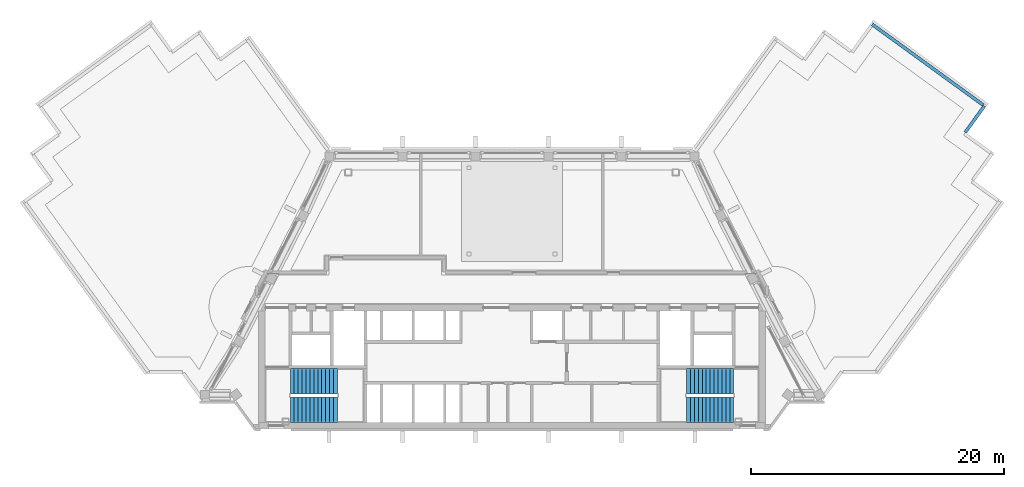
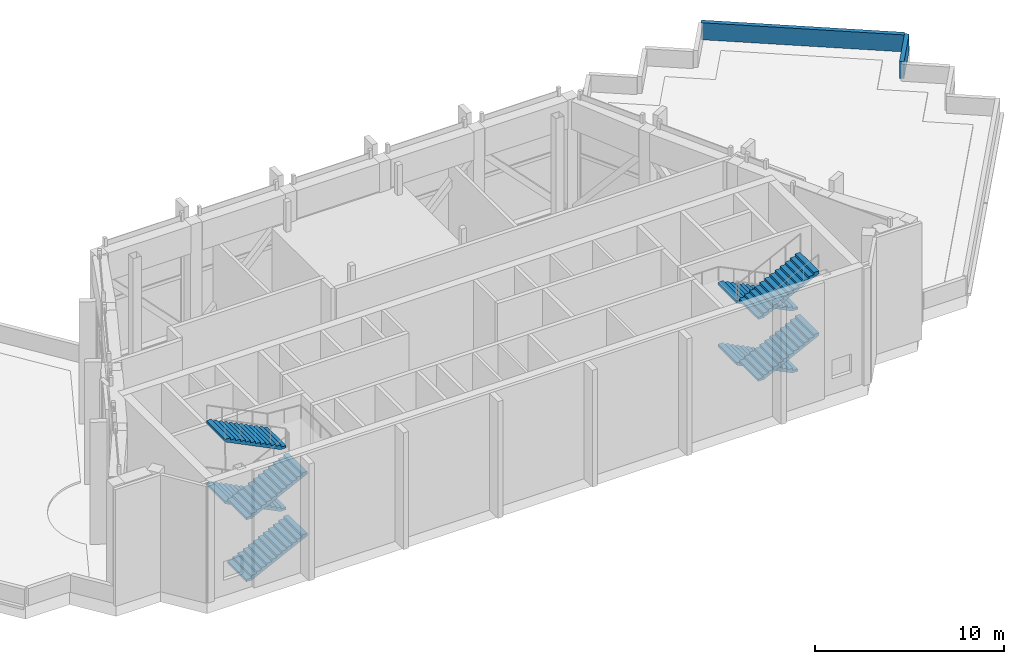
# One storey, part 11 of 14: 8 stair flights, 2 walls, 2 elements without a shape of their own.
"""IFC4 building model written with IfcOpenShell, lengths in metres."""

from ifc_helpers import new_model, si_unit, direction, frame, frame_2d, origin, place, context, subcontext, project, spatial, polyline, rectangle, outline, extrude, material, type_object, element, aggregate, save


model = new_model("IFC4")

# Units and contexts
model_context = context("Model", 3, precision=1e-05, world=origin(), true_north=direction((0.0, 1.0)))
body_context = subcontext(model_context, "Body", "Model", "MODEL_VIEW")
ifc_project = project(units=[si_unit("LENGTHUNIT", "METRE"), si_unit("AREAUNIT", "SQUARE_METRE"), si_unit("VOLUMEUNIT", "CUBIC_METRE"), si_unit("PLANEANGLEUNIT", "RADIAN"), si_unit("MASSUNIT", "GRAM", prefix="KILO")], contexts=[model_context])

# Site, building, storey
site_placement = place(None, origin())
site = spatial("IfcSite", under=ifc_project, at=site_placement, CompositionType="ELEMENT")
building_placement = place(site_placement, origin())
building = spatial("IfcBuilding", under=site, at=building_placement, Name="Quipu Civic Tower", CompositionType="ELEMENT")
storey_placement = place(building_placement, frame((0.0, 0.0, 355.0)))
storey = spatial("IfcBuildingStorey", under=building, at=storey_placement, Name="L83", CompositionType="ELEMENT", Elevation=355.0)

# Walls
ifc_material_1 = material(Name="Precast concrete C40/50", Category="concrete")
wall_type = type_object("IfcWallType", Name="Concrete parapet", PredefinedType="PARAPET", material=ifc_material_1)
wall_1_placement = place(storey_placement, frame((28.428466796875, 20.915283203125, 0.0), z_axis=(0.0, 0.0, 1.0), x_axis=(0.809014924719, -0.587788100918, 0.0)))
element("IfcWall", 1, at=wall_1_placement, inside=storey, type_object=wall_type, Name="Parapet L83.6", PredefinedType="PARAPET", context=body_context, shape_type="SweptSolid", body=[
    extrude(rectangle(XDim=10.824951171875, YDim=0.25, at=frame_2d((5.41259765625, 0.0))), origin(), (0.0, 0.0, 1.0), 1.10009765625),
])
wall_2_placement = place(storey_placement, frame((37.287109375, 14.47900390625, 0.0), z_axis=(0.0, 0.0, 1.0), x_axis=(-0.587793888112, -0.809010720015, 0.0)))
element("IfcWall", 2, at=wall_2_placement, inside=storey, type_object=wall_type, Name="Parapet L83.7", PredefinedType="PARAPET", context=body_context, shape_type="SweptSolid", body=[
    extrude(rectangle(XDim=2.57470703125, YDim=0.25, at=frame_2d((1.287353515625, 0.0))), origin(), (0.0, 0.0, 1.0), 1.10009765625),
])

# Stair, stair flights
ifc_material_2 = material(Name="Concrete C40/50", Category="concrete")
stair_type = type_object("IfcStairType", Name="Half turn stair 2000", PredefinedType="HALF_TURN_STAIR", material=ifc_material_2)
stair_1_placement = place(storey_placement, origin())
stair_1 = element("IfcStair", 3, at=stair_1_placement, inside=storey, type_object=stair_type, Name="Exit stair 1", PredefinedType="HALF_TURN_STAIR")
ifc_material_3 = material(Name="Concrete C40/50", Category="concrete")
stair_flight_type = type_object("IfcStairFlightType", Name="Stair flight 2000", PredefinedType="STRAIGHT", material=ifc_material_3)
stair_flight_1_placement = place(storey_placement, frame((-17.5, -9.5, 0.0), z_axis=(0.0, 0.0, 1.0), x_axis=(1.0, 0.0, 0.0)))
stair_flight_1 = element("IfcStairFlight", 4, at=stair_flight_1_placement, type_object=stair_flight_type, Name="ST-1 flight 1", NumberOfRisers=13, NumberOfTreads=12, PredefinedType="STRAIGHT", RiserHeight=0.153846154, TreadLength=0.31, context=body_context, shape_type="SweptSolid", body=[
    extrude(outline(polyline([(0.0, 0.0), (0.0, 0.15380859375), (0.31005859375, 0.15380859375), (0.31005859375, 0.3076171875), (0.6201171875, 0.3076171875), (0.6201171875, 0.46142578125), (0.929931640625, 0.46142578125), (0.929931640625, 0.615478515625), (1.239990234375, 0.615478515625), (1.239990234375, 0.769287109375), (1.550048828125, 0.769287109375), (1.550048828125, 0.923095703125), (1.860107421875, 0.923095703125), (1.860107421875, 1.076904296875), (2.169921875, 1.076904296875), (2.169921875, 1.230712890625), (2.47998046875, 1.230712890625), (2.47998046875, 1.384521484375), (2.7900390625, 1.384521484375), (2.7900390625, 1.53857421875), (3.10009765625, 1.53857421875), (3.10009765625, 1.6923828125), (3.409912109375, 1.6923828125), (3.409912109375, 1.84619140625), (3.719970703125, 1.84619140625), (3.719970703125, 2.0), (3.719970703125, 1.6787109375), (0.337158203125, 0.0), (0.0, 0.0)])), frame((0.0, 1.0, 0.0), z_axis=(0.0, -1.0, 0.0), x_axis=(1.0, 0.0, 0.0)), (0.0, 0.0, 1.0), 2.0),
])
stair_flight_2_placement = place(storey_placement, frame((-13.780029296875, -7.25, 2.0), z_axis=(0.0, 0.0, 1.0), x_axis=(-1.0, 0.0, 0.0)))
stair_flight_2 = element("IfcStairFlight", 5, at=stair_flight_2_placement, type_object=stair_flight_type, Name="ST-1 flight 2", NumberOfRisers=13, NumberOfTreads=12, PredefinedType="STRAIGHT", RiserHeight=0.153846154, TreadLength=0.31, context=body_context, shape_type="SweptSolid", body=[
    extrude(outline(polyline([(0.0, 0.0), (0.0, 0.15380859375), (0.31005859375, 0.15380859375), (0.31005859375, 0.3076171875), (0.6201171875, 0.3076171875), (0.6201171875, 0.46142578125), (0.929931640625, 0.46142578125), (0.929931640625, 0.615478515625), (1.239990234375, 0.615478515625), (1.239990234375, 0.769287109375), (1.550048828125, 0.769287109375), (1.550048828125, 0.923095703125), (1.860107421875, 0.923095703125), (1.860107421875, 1.076904296875), (2.169921875, 1.076904296875), (2.169921875, 1.230712890625), (2.47998046875, 1.230712890625), (2.47998046875, 1.384521484375), (2.7900390625, 1.384521484375), (2.7900390625, 1.53857421875), (3.10009765625, 1.53857421875), (3.10009765625, 1.6923828125), (3.409912109375, 1.6923828125), (3.409912109375, 1.84619140625), (3.719970703125, 1.84619140625), (3.719970703125, 2.0), (3.719970703125, 1.6787109375), (0.337158203125, 0.0), (0.0, 0.0)])), frame((0.0, 1.0, 0.0), z_axis=(0.0, -1.0, 0.0), x_axis=(1.0, 0.0, 0.0)), (0.0, 0.0, 1.0), 2.0),
])
stair_flight_3_placement = place(storey_placement, frame((-17.5, -9.5, 4.0), z_axis=(0.0, 0.0, 1.0), x_axis=(1.0, 0.0, 0.0)))
stair_flight_3 = element("IfcStairFlight", 6, at=stair_flight_3_placement, type_object=stair_flight_type, Name="ST-1 flight 3", NumberOfRisers=13, NumberOfTreads=12, PredefinedType="STRAIGHT", RiserHeight=0.153846154, TreadLength=0.31, context=body_context, shape_type="SweptSolid", body=[
    extrude(outline(polyline([(0.0, 0.0), (0.0, 0.15380859375), (0.31005859375, 0.15380859375), (0.31005859375, 0.3076171875), (0.6201171875, 0.3076171875), (0.6201171875, 0.46142578125), (0.929931640625, 0.46142578125), (0.929931640625, 0.615478515625), (1.239990234375, 0.615478515625), (1.239990234375, 0.769287109375), (1.550048828125, 0.769287109375), (1.550048828125, 0.923095703125), (1.860107421875, 0.923095703125), (1.860107421875, 1.076904296875), (2.169921875, 1.076904296875), (2.169921875, 1.230712890625), (2.47998046875, 1.230712890625), (2.47998046875, 1.384521484375), (2.7900390625, 1.384521484375), (2.7900390625, 1.53857421875), (3.10009765625, 1.53857421875), (3.10009765625, 1.6923828125), (3.409912109375, 1.6923828125), (3.409912109375, 1.84619140625), (3.719970703125, 1.84619140625), (3.719970703125, 2.0), (3.719970703125, 1.6787109375), (0.337158203125, 0.0), (0.0, 0.0)])), frame((0.0, 1.0, 0.0), z_axis=(0.0, -1.0, 0.0), x_axis=(1.0, 0.0, 0.0)), (0.0, 0.0, 1.0), 2.0),
])
stair_flight_4_placement = place(storey_placement, frame((-13.780029296875, -7.25, 6.0), z_axis=(0.0, 0.0, 1.0), x_axis=(-1.0, 0.0, 0.0)))
stair_flight_4 = element("IfcStairFlight", 7, at=stair_flight_4_placement, type_object=stair_flight_type, Name="ST-1 flight 4", NumberOfRisers=13, NumberOfTreads=12, PredefinedType="STRAIGHT", RiserHeight=0.153846154, TreadLength=0.31, context=body_context, shape_type="SweptSolid", body=[
    extrude(outline(polyline([(0.0, 0.0), (0.0, 0.15380859375), (0.31005859375, 0.15380859375), (0.31005859375, 0.3076171875), (0.6201171875, 0.3076171875), (0.6201171875, 0.46142578125), (0.929931640625, 0.46142578125), (0.929931640625, 0.615478515625), (1.239990234375, 0.615478515625), (1.239990234375, 0.769287109375), (1.550048828125, 0.769287109375), (1.550048828125, 0.923095703125), (1.860107421875, 0.923095703125), (1.860107421875, 1.076904296875), (2.169921875, 1.076904296875), (2.169921875, 1.230712890625), (2.47998046875, 1.230712890625), (2.47998046875, 1.384521484375), (2.7900390625, 1.384521484375), (2.7900390625, 1.53857421875), (3.10009765625, 1.53857421875), (3.10009765625, 1.6923828125), (3.409912109375, 1.6923828125), (3.409912109375, 1.84619140625), (3.719970703125, 1.84619140625), (3.719970703125, 2.0), (3.719970703125, 1.6787109375), (0.337158203125, 0.0), (0.0, 0.0)])), frame((0.0, 1.0, 0.0), z_axis=(0.0, -1.0, 0.0), x_axis=(1.0, 0.0, 0.0)), (0.0, 0.0, 1.0), 2.0),
])
aggregate(stair_1, [stair_flight_1, stair_flight_2, stair_flight_3, stair_flight_4])

stair_2_placement = place(storey_placement, origin())
stair_2 = element("IfcStair", 8, at=stair_2_placement, inside=storey, type_object=stair_type, Name="Exit stair 2", PredefinedType="HALF_TURN_STAIR")
stair_flight_5_placement = place(storey_placement, frame((17.5, -7.25, 0.0), z_axis=(0.0, 0.0, 1.0), x_axis=(-1.0, 0.0, 0.0)))
stair_flight_5 = element("IfcStairFlight", 9, at=stair_flight_5_placement, type_object=stair_flight_type, Name="ST-2 flight 1", NumberOfRisers=13, NumberOfTreads=12, PredefinedType="STRAIGHT", RiserHeight=0.153846154, TreadLength=0.31, context=body_context, shape_type="SweptSolid", body=[
    extrude(outline(polyline([(0.0, 0.0), (0.0, 0.15380859375), (0.31005859375, 0.15380859375), (0.31005859375, 0.3076171875), (0.6201171875, 0.3076171875), (0.6201171875, 0.46142578125), (0.929931640625, 0.46142578125), (0.929931640625, 0.615478515625), (1.239990234375, 0.615478515625), (1.239990234375, 0.769287109375), (1.550048828125, 0.769287109375), (1.550048828125, 0.923095703125), (1.860107421875, 0.923095703125), (1.860107421875, 1.076904296875), (2.169921875, 1.076904296875), (2.169921875, 1.230712890625), (2.47998046875, 1.230712890625), (2.47998046875, 1.384521484375), (2.7900390625, 1.384521484375), (2.7900390625, 1.53857421875), (3.10009765625, 1.53857421875), (3.10009765625, 1.6923828125), (3.409912109375, 1.6923828125), (3.409912109375, 1.84619140625), (3.719970703125, 1.84619140625), (3.719970703125, 2.0), (3.719970703125, 1.6787109375), (0.337158203125, 0.0), (0.0, 0.0)])), frame((0.0, 1.0, 0.0), z_axis=(0.0, -1.0, 0.0), x_axis=(1.0, 0.0, 0.0)), (0.0, 0.0, 1.0), 2.0),
])
stair_flight_6_placement = place(storey_placement, frame((13.780029296875, -9.5, 2.0), z_axis=(0.0, 0.0, 1.0), x_axis=(1.0, 0.0, 0.0)))
stair_flight_6 = element("IfcStairFlight", 10, at=stair_flight_6_placement, type_object=stair_flight_type, Name="ST-2 flight 2", NumberOfRisers=13, NumberOfTreads=12, PredefinedType="STRAIGHT", RiserHeight=0.153846154, TreadLength=0.31, context=body_context, shape_type="SweptSolid", body=[
    extrude(outline(polyline([(0.0, 0.0), (0.0, 0.15380859375), (0.31005859375, 0.15380859375), (0.31005859375, 0.3076171875), (0.6201171875, 0.3076171875), (0.6201171875, 0.46142578125), (0.929931640625, 0.46142578125), (0.929931640625, 0.615478515625), (1.239990234375, 0.615478515625), (1.239990234375, 0.769287109375), (1.550048828125, 0.769287109375), (1.550048828125, 0.923095703125), (1.860107421875, 0.923095703125), (1.860107421875, 1.076904296875), (2.169921875, 1.076904296875), (2.169921875, 1.230712890625), (2.47998046875, 1.230712890625), (2.47998046875, 1.384521484375), (2.7900390625, 1.384521484375), (2.7900390625, 1.53857421875), (3.10009765625, 1.53857421875), (3.10009765625, 1.6923828125), (3.409912109375, 1.6923828125), (3.409912109375, 1.84619140625), (3.719970703125, 1.84619140625), (3.719970703125, 2.0), (3.719970703125, 1.6787109375), (0.337158203125, 0.0), (0.0, 0.0)])), frame((0.0, 1.0, 0.0), z_axis=(0.0, -1.0, 0.0), x_axis=(1.0, 0.0, 0.0)), (0.0, 0.0, 1.0), 2.0),
])
stair_flight_7_placement = place(storey_placement, frame((17.5, -7.25, 4.0), z_axis=(0.0, 0.0, 1.0), x_axis=(-1.0, 0.0, 0.0)))
stair_flight_7 = element("IfcStairFlight", 11, at=stair_flight_7_placement, type_object=stair_flight_type, Name="ST-2 flight 3", NumberOfRisers=13, NumberOfTreads=12, PredefinedType="STRAIGHT", RiserHeight=0.153846154, TreadLength=0.31, context=body_context, shape_type="SweptSolid", body=[
    extrude(outline(polyline([(0.0, 0.0), (0.0, 0.15380859375), (0.31005859375, 0.15380859375), (0.31005859375, 0.3076171875), (0.6201171875, 0.3076171875), (0.6201171875, 0.46142578125), (0.929931640625, 0.46142578125), (0.929931640625, 0.615478515625), (1.239990234375, 0.615478515625), (1.239990234375, 0.769287109375), (1.550048828125, 0.769287109375), (1.550048828125, 0.923095703125), (1.860107421875, 0.923095703125), (1.860107421875, 1.076904296875), (2.169921875, 1.076904296875), (2.169921875, 1.230712890625), (2.47998046875, 1.230712890625), (2.47998046875, 1.384521484375), (2.7900390625, 1.384521484375), (2.7900390625, 1.53857421875), (3.10009765625, 1.53857421875), (3.10009765625, 1.6923828125), (3.409912109375, 1.6923828125), (3.409912109375, 1.84619140625), (3.719970703125, 1.84619140625), (3.719970703125, 2.0), (3.719970703125, 1.6787109375), (0.337158203125, 0.0), (0.0, 0.0)])), frame((0.0, 1.0, 0.0), z_axis=(0.0, -1.0, 0.0), x_axis=(1.0, 0.0, 0.0)), (0.0, 0.0, 1.0), 2.0),
])
stair_flight_8_placement = place(storey_placement, frame((13.780029296875, -9.5, 6.0), z_axis=(0.0, 0.0, 1.0), x_axis=(1.0, 0.0, 0.0)))
stair_flight_8 = element("IfcStairFlight", 12, at=stair_flight_8_placement, type_object=stair_flight_type, Name="ST-2 flight 4", NumberOfRisers=13, NumberOfTreads=12, PredefinedType="STRAIGHT", RiserHeight=0.153846154, TreadLength=0.31, context=body_context, shape_type="SweptSolid", body=[
    extrude(outline(polyline([(0.0, 0.0), (0.0, 0.15380859375), (0.31005859375, 0.15380859375), (0.31005859375, 0.3076171875), (0.6201171875, 0.3076171875), (0.6201171875, 0.46142578125), (0.929931640625, 0.46142578125), (0.929931640625, 0.615478515625), (1.239990234375, 0.615478515625), (1.239990234375, 0.769287109375), (1.550048828125, 0.769287109375), (1.550048828125, 0.923095703125), (1.860107421875, 0.923095703125), (1.860107421875, 1.076904296875), (2.169921875, 1.076904296875), (2.169921875, 1.230712890625), (2.47998046875, 1.230712890625), (2.47998046875, 1.384521484375), (2.7900390625, 1.384521484375), (2.7900390625, 1.53857421875), (3.10009765625, 1.53857421875), (3.10009765625, 1.6923828125), (3.409912109375, 1.6923828125), (3.409912109375, 1.84619140625), (3.719970703125, 1.84619140625), (3.719970703125, 2.0), (3.719970703125, 1.6787109375), (0.337158203125, 0.0), (0.0, 0.0)])), frame((0.0, 1.0, 0.0), z_axis=(0.0, -1.0, 0.0), x_axis=(1.0, 0.0, 0.0)), (0.0, 0.0, 1.0), 2.0),
])
aggregate(stair_2, [stair_flight_5, stair_flight_6, stair_flight_7, stair_flight_8])

save(model, "model.ifc")
